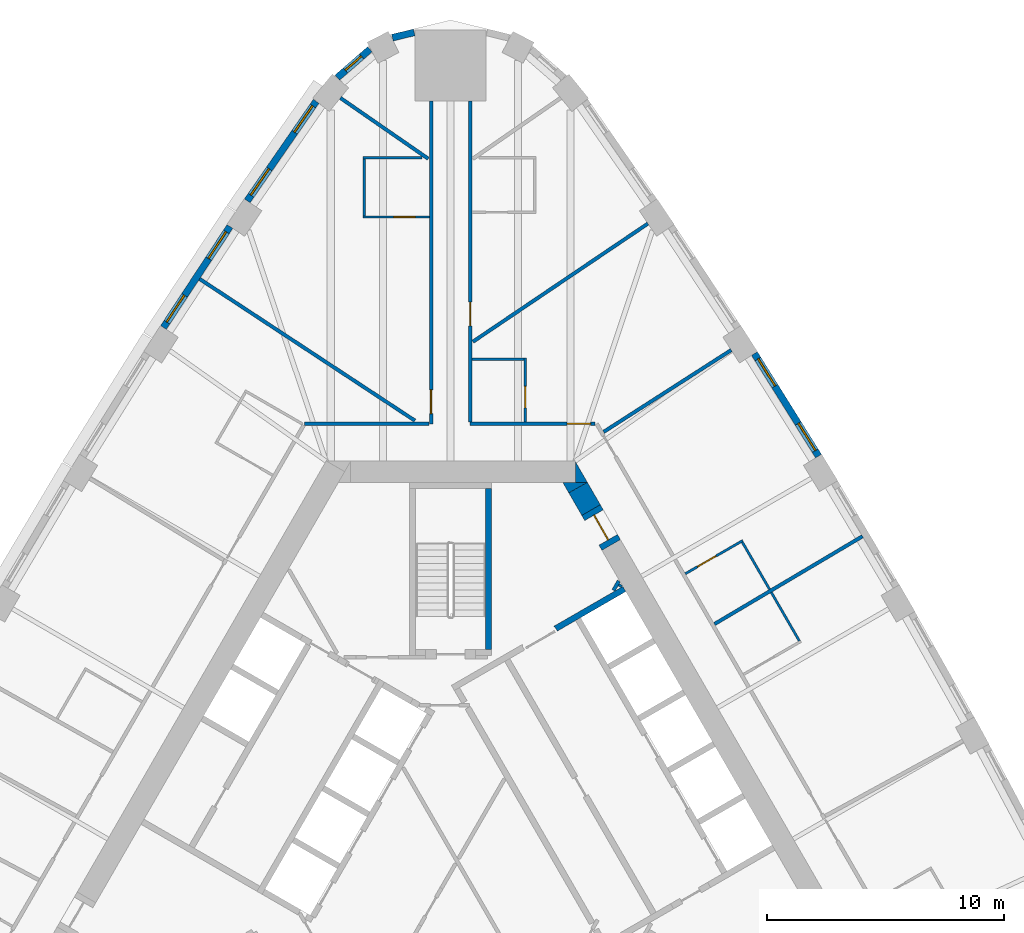
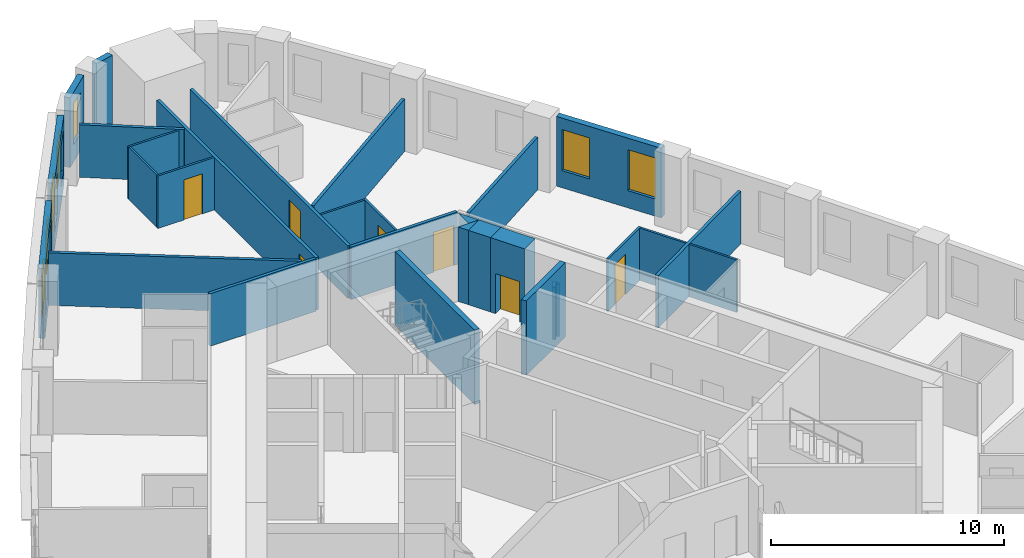
# One storey, part 10 of 12: 30 walls, 7 doors, 7 windows, 14 openings.
"""IFC4 building model written with IfcOpenShell, lengths in metres."""

from ifc_helpers import new_model, si_unit, direction, frame, frame_2d, origin, place, context, subcontext, project, spatial, polyline, rectangle, outline, extrude, material, layer, layer_set, type_object, element, fill, save


model = new_model("IFC4")

# Units and contexts
model_context = context("Model", 3, precision=1e-05, world=origin(), true_north=direction((0.0, 1.0)))
body_context = subcontext(model_context, "Body", "Model", "MODEL_VIEW")
ifc_project = project(units=[si_unit("LENGTHUNIT", "METRE"), si_unit("AREAUNIT", "SQUARE_METRE"), si_unit("VOLUMEUNIT", "CUBIC_METRE"), si_unit("PLANEANGLEUNIT", "RADIAN"), si_unit("MASSUNIT", "GRAM", prefix="KILO")], contexts=[model_context])

# Site, building, storey
site_placement = place(None, origin())
site = spatial("IfcSite", under=ifc_project, at=site_placement, CompositionType="ELEMENT")
building_placement = place(site_placement, origin())
building = spatial("IfcBuilding", under=site, at=building_placement, Name="Mestral Congress Tower", CompositionType="ELEMENT")
storey_placement = place(building_placement, frame((0.0, 0.0, 122.699951171875)))
storey = spatial("IfcBuildingStorey", under=building, at=storey_placement, Name="L29", CompositionType="ELEMENT", Elevation=122.699951171875)

# Walls
ifc_material_1 = material(Name="Fire-rated board partition")
ifc_layer_1 = layer(ifc_material_1, 0.14990234375)
ifc_layer_set_1 = layer_set([ifc_layer_1], Name="Fire-rated board partition")
wall_type_1 = type_object("IfcWallType", Name="Core partition 150", PredefinedType="PARTITIONING", material=ifc_layer_set_1)
wall_1_placement = place(storey_placement, frame((6.87158203125, 11.44970703125, 0.0), z_axis=(0.0, 0.0, 1.0), x_axis=(0.499846793097, 0.866113839764, 0.0)))
element("IfcWall", 1, at=wall_1_placement, inside=storey, type_object=wall_type_1, Name="L29 core wall", PredefinedType="PARTITIONING", context=body_context, shape_type="SweptSolid", body=[
    extrude(rectangle(XDim=0.453369140625, YDim=0.14990234375, at=frame_2d((0.2265625, 0.0))), origin(), (0.0, 0.0, 1.0), 2.75),
])
wall_2_placement = place(storey_placement, frame((7.13134765625, 11.599609375, 0.0), z_axis=(0.0, 0.0, 1.0), x_axis=(0.498600033135, 0.866832167699, 0.0)))
element("IfcWall", 2, at=wall_2_placement, inside=storey, type_object=wall_type_1, Name="L29 core wall", PredefinedType="PARTITIONING", context=body_context, shape_type="SweptSolid", body=[
    extrude(rectangle(XDim=0.106689453125, YDim=0.14990234375, at=frame_2d((0.05322265625, 0.0))), origin(), (0.0, 0.0, 1.0), 2.75),
])
ifc_material_2 = material(Name="Concrete C60/75", Category="concrete")
ifc_layer_2 = layer(ifc_material_2, 0.89990234375)
ifc_layer_set_2 = layer_set([ifc_layer_2], Name="Concrete C60/75")
wall_type_2 = type_object("IfcWallType", Name="Core wall RC 900", PredefinedType="SOLIDWALL", material=ifc_layer_set_2)
placement = place(storey_placement, origin())
element("IfcWall", 3, at=placement, inside=storey, type_object=wall_type_2, Name="L29 core wall", PredefinedType="SOLIDWALL", context=body_context, shape_type="SweptSolid", body=[
    extrude(outline(polyline([(5.265380859375, 16.0), (5.265380859375, 16.8798828125), (5.7734375, 16.0), (5.265380859375, 16.0)])), origin(), (0.0, 0.0, 1.0), 3.900146484375),
])
wall_4_placement = place(storey_placement, frame((5.92578125, 14.836181640625, 0.0), z_axis=(0.0, 0.0, 1.0), x_axis=(-0.500076735116, 0.865981096212, 0.0)))
element("IfcWall", 4, at=wall_4_placement, inside=storey, type_object=wall_type_2, Name="L29 core wall", PredefinedType="SOLIDWALL", context=body_context, shape_type="SweptSolid", body=[
    extrude(rectangle(XDim=1.093505859375, YDim=0.89990234375, at=frame_2d((0.546875, 0.0))), origin(), (0.0, 0.0, 1.0), 3.900146484375),
])
element("IfcWall", 5, at=placement, inside=storey, type_object=wall_type_2, Name="L29 core wall", PredefinedType="SOLIDWALL", context=body_context, shape_type="SweptSolid", body=[
    extrude(outline(polyline([(4.734375, 16.0), (5.750244140625, 16.0), (4.98828125, 15.56005859375), (4.734375, 16.0)])), origin(), (0.0, 0.0, 1.0), 3.900146484375),
])

# Wall, opening, door
wall_6_placement = place(storey_placement, frame((5.92578125, 14.836181640625, 0.0), z_axis=(0.0, 0.0, 1.0), x_axis=(0.500062241894, -0.865989465428, 0.0)))
wall_6 = element("IfcWall", 6, at=wall_6_placement, inside=storey, type_object=wall_type_2, Name="L29 door wall", PredefinedType="SOLIDWALL", context=body_context, shape_type="SweptSolid", body=[
    extrude(rectangle(XDim=1.699951171875, YDim=0.89990234375, at=frame_2d((0.85009765625, 0.0))), origin(), (0.0, 0.0, 1.0), 3.900146484375),
])
opening_1_placement = place(wall_6_placement, frame((0.25, 0.0, 0.0)))
opening_1 = element("IfcOpeningElement", 7, at=opening_1_placement, cuts=wall_6, Name="Opening XD2", PredefinedType="OPENING", context=body_context, shape_type="SweptSolid", body=[
    extrude(rectangle(XDim=1.199951171875, YDim=2.10009765625, at=frame_2d((0.60009765625, 1.050048828125))), frame((0.0, 0.4599609375, 0.0), z_axis=(0.0, -1.0, 0.0), x_axis=(1.0, 0.0, 0.0)), (0.0, 0.0, 1.0), 0.919921875),
])
ifc_material_3 = material(Name="Fire-rated steel door set", Category="steel")
door_type_1 = type_object("IfcDoorType", Name="Core door XD 1200x2100", OperationType="SINGLE_SWING_LEFT", PredefinedType="DOOR", material=ifc_material_3)
door_1_placement = place(opening_1_placement, origin())
door_1 = element("IfcDoor", 8, at=door_1_placement, inside=storey, type_object=door_type_1, Name="Door XD2", OperationType="SINGLE_SWING_LEFT", OverallHeight=2.10009765625, OverallWidth=1.199951171875, PredefinedType="DOOR", context=body_context, shape_type="SweptSolid", body=[
    extrude(rectangle(XDim=1.199951171875, YDim=2.10009765625, at=frame_2d((0.60009765625, 1.050048828125))), frame((0.0, 0.02490234375, 0.0), z_axis=(0.0, -1.0, 0.0), x_axis=(1.0, 0.0, 0.0)), (0.0, 0.0, 1.0), 0.050048828125),
])
fill(opening_1, door_1)

# Wall, openings, windows
ifc_material_4 = material(Name="Precast concrete C40/50 with limestone facing", Category="masonry")
ifc_layer_3 = layer(ifc_material_4, 0.2900390625)
ifc_layer_set_3 = layer_set([ifc_layer_3], Name="Precast concrete C40/50 with limestone facing")
wall_type_3 = type_object("IfcWallType", Name="Facade stone wall 290", PredefinedType="SOLIDWALL", material=ifc_layer_set_3)
wall_7_placement = place(storey_placement, frame((15.523681640625, 17.114013671875, 0.0), z_axis=(0.0, 0.0, 1.0), x_axis=(-0.530072082134, 0.847952585787, 0.0)))
wall_7 = element("IfcWall", 9, at=wall_7_placement, inside=storey, type_object=wall_type_3, Name="Facade wall F1-05", PredefinedType="SOLIDWALL", context=body_context, shape_type="SweptSolid", body=[
    extrude(rectangle(XDim=5.100341796875, YDim=0.2900390625, at=frame_2d((2.55029296875, 0.0))), origin(), (0.0, 0.0, 1.0), 3.650146484375),
])
opening_2_placement = place(wall_7_placement, frame((0.272705078125, 0.0, 0.89990234375)))
opening_2 = element("IfcOpeningElement", 10, at=opening_2_placement, cuts=wall_7, Name="Opening W2", PredefinedType="OPENING", context=body_context, shape_type="SweptSolid", body=[
    extrude(rectangle(XDim=1.35009765625, YDim=2.14990234375, at=frame_2d((0.675048828125, 1.074951171875))), frame((0.0, 0.155029296875, 0.0), z_axis=(0.0, -1.0, 0.0), x_axis=(1.0, 0.0, 0.0)), (0.0, 0.0, 1.0), 0.31005859375),
])
opening_3_placement = place(wall_7_placement, frame((3.477783203125, 0.0, 0.89990234375)))
opening_3 = element("IfcOpeningElement", 11, at=opening_3_placement, cuts=wall_7, Name="Opening W2", PredefinedType="OPENING", context=body_context, shape_type="SweptSolid", body=[
    extrude(rectangle(XDim=1.35009765625, YDim=2.14990234375, at=frame_2d((0.675048828125, 1.074951171875))), frame((0.0, 0.155029296875, 0.0), z_axis=(0.0, -1.0, 0.0), x_axis=(1.0, 0.0, 0.0)), (0.0, 0.0, 1.0), 0.31005859375),
])
ifc_material_5 = material(Name="Clear low-emissivity double glazing", Category="glass")
window_type_1 = type_object("IfcWindowType", Name="Facade punched window 1350 x 2150 sill 900", PartitioningType="DOUBLE_PANEL_VERTICAL", PredefinedType="WINDOW", material=ifc_material_5)
window_1_placement = place(opening_2_placement, origin())
window_1 = element("IfcWindow", 12, at=window_1_placement, inside=storey, type_object=window_type_1, Name="Window F1-05a", OverallHeight=2.14990234375, OverallWidth=1.35009765625, PartitioningType="DOUBLE_PANEL_VERTICAL", PredefinedType="WINDOW", context=body_context, shape_type="SweptSolid", body=[
    extrude(rectangle(XDim=1.35009765625, YDim=2.14990234375, at=frame_2d((0.675048828125, 1.074951171875))), frame((0.0, 0.01513671875, 0.0), z_axis=(0.0, -1.0, 0.0), x_axis=(1.0, 0.0, 0.0)), (0.0, 0.0, 1.0), 0.06005859375),
])
fill(opening_2, window_1)
window_2_placement = place(opening_3_placement, origin())
window_2 = element("IfcWindow", 13, at=window_2_placement, inside=storey, type_object=window_type_1, Name="Window F1-05b", OverallHeight=2.14990234375, OverallWidth=1.35009765625, PartitioningType="DOUBLE_PANEL_VERTICAL", PredefinedType="WINDOW", context=body_context, shape_type="SweptSolid", body=[
    extrude(rectangle(XDim=1.35009765625, YDim=2.14990234375, at=frame_2d((0.675048828125, 1.074951171875))), frame((0.0, 0.01513671875, 0.0), z_axis=(0.0, -1.0, 0.0), x_axis=(1.0, 0.0, 0.0)), (0.0, 0.0, 1.0), 0.06005859375),
])
fill(opening_3, window_2)

# Wall
wall_8_placement = place(storey_placement, frame((-1.53515625, 34.9892578125, 0.0), z_axis=(0.0, 0.0, 1.0), x_axis=(-0.971713991574, -0.236160789674, 0.0)))
element("IfcWall", 14, at=wall_8_placement, inside=storey, type_object=wall_type_3, Name="Facade wall K1-2", PredefinedType="SOLIDWALL", context=body_context, shape_type="SweptSolid", body=[
    extrude(rectangle(XDim=0.947021484375, YDim=0.2900390625, at=frame_2d((0.4736328125, 0.0))), origin(), (0.0, 0.0, 1.0), 3.650146484375),
])

# Wall, opening, window
wall_9_placement = place(storey_placement, frame((-3.404541015625, 34.275390625, 0.0), z_axis=(0.0, 0.0, 1.0), x_axis=(-0.754882764627, -0.655859749999, 0.0)))
wall_9 = element("IfcWall", 15, at=wall_9_placement, inside=storey, type_object=wall_type_3, Name="Facade wall K1-3", PredefinedType="SOLIDWALL", context=body_context, shape_type="SweptSolid", body=[
    extrude(rectangle(XDim=1.819580078125, YDim=0.2900390625, at=frame_2d((0.90966796875, 0.0))), origin(), (0.0, 0.0, 1.0), 3.650146484375),
])
opening_4_placement = place(wall_9_placement, frame((0.459716796875, 0.0, 0.89990234375)))
opening_4 = element("IfcOpeningElement", 16, at=opening_4_placement, cuts=wall_9, Name="Opening W3", PredefinedType="OPENING", context=body_context, shape_type="SweptSolid", body=[
    extrude(rectangle(XDim=0.89990234375, YDim=2.14990234375, at=frame_2d((0.449951171875, 1.074951171875))), frame((0.0, 0.155029296875, 0.0), z_axis=(0.0, -1.0, 0.0), x_axis=(1.0, 0.0, 0.0)), (0.0, 0.0, 1.0), 0.31005859375),
])
window_type_2 = type_object("IfcWindowType", Name="Facade punched window 900 x 2150 sill 900", PartitioningType="SINGLE_PANEL", PredefinedType="WINDOW", material=ifc_material_5)
window_3_placement = place(opening_4_placement, origin())
window_3 = element("IfcWindow", 17, at=window_3_placement, inside=storey, type_object=window_type_2, Name="Window K1-3", OverallHeight=2.14990234375, OverallWidth=0.89990234375, PartitioningType="SINGLE_PANEL", PredefinedType="WINDOW", context=body_context, shape_type="SweptSolid", body=[
    extrude(rectangle(XDim=0.89990234375, YDim=2.14990234375, at=frame_2d((0.449951171875, 1.074951171875))), frame((0.0, 0.01513671875, 0.0), z_axis=(0.0, -1.0, 0.0), x_axis=(1.0, 0.0, 0.0)), (0.0, 0.0, 1.0), 0.06005859375),
])
fill(opening_4, window_3)

# Wall, openings, windows
wall_10_placement = place(storey_placement, frame((-5.67333984375, 32.0810546875, 0.0), z_axis=(0.0, 0.0, 1.0), x_axis=(-0.569113019126, -0.822259309136, 0.0)))
wall_10 = element("IfcWall", 18, at=wall_10_placement, inside=storey, type_object=wall_type_3, Name="Facade wall F2-00", PredefinedType="SOLIDWALL", context=body_context, shape_type="SweptSolid", body=[
    extrude(rectangle(XDim=5.106689453125, YDim=0.2900390625, at=frame_2d((2.55322265625, 0.0))), origin(), (0.0, 0.0, 1.0), 3.650146484375),
])
opening_5_placement = place(wall_10_placement, frame((0.240478515625, 0.0, 0.89990234375)))
opening_5 = element("IfcOpeningElement", 19, at=opening_5_placement, cuts=wall_10, Name="Opening W2", PredefinedType="OPENING", context=body_context, shape_type="SweptSolid", body=[
    extrude(rectangle(XDim=1.35009765625, YDim=2.14990234375, at=frame_2d((0.675048828125, 1.074951171875))), frame((0.0, 0.155029296875, 0.0), z_axis=(0.0, -1.0, 0.0), x_axis=(1.0, 0.0, 0.0)), (0.0, 0.0, 1.0), 0.31005859375),
])
opening_6_placement = place(wall_10_placement, frame((3.47119140625, 0.0, 0.89990234375)))
opening_6 = element("IfcOpeningElement", 20, at=opening_6_placement, cuts=wall_10, Name="Opening W2", PredefinedType="OPENING", context=body_context, shape_type="SweptSolid", body=[
    extrude(rectangle(XDim=1.35009765625, YDim=2.14990234375, at=frame_2d((0.675048828125, 1.074951171875))), frame((0.0, 0.155029296875, 0.0), z_axis=(0.0, -1.0, 0.0), x_axis=(1.0, 0.0, 0.0)), (0.0, 0.0, 1.0), 0.31005859375),
])
window_4_placement = place(opening_5_placement, origin())
window_4 = element("IfcWindow", 21, at=window_4_placement, inside=storey, type_object=window_type_1, Name="Window F2-00a", OverallHeight=2.14990234375, OverallWidth=1.35009765625, PartitioningType="DOUBLE_PANEL_VERTICAL", PredefinedType="WINDOW", context=body_context, shape_type="SweptSolid", body=[
    extrude(rectangle(XDim=1.35009765625, YDim=2.14990234375, at=frame_2d((0.675048828125, 1.074951171875))), frame((0.0, 0.01513671875, 0.0), z_axis=(0.0, -1.0, 0.0), x_axis=(1.0, 0.0, 0.0)), (0.0, 0.0, 1.0), 0.06005859375),
])
fill(opening_5, window_4)
window_5_placement = place(opening_6_placement, origin())
window_5 = element("IfcWindow", 22, at=window_5_placement, inside=storey, type_object=window_type_1, Name="Window F2-00b", OverallHeight=2.14990234375, OverallWidth=1.35009765625, PartitioningType="DOUBLE_PANEL_VERTICAL", PredefinedType="WINDOW", context=body_context, shape_type="SweptSolid", body=[
    extrude(rectangle(XDim=1.35009765625, YDim=2.14990234375, at=frame_2d((0.675048828125, 1.074951171875))), frame((0.0, 0.01513671875, 0.0), z_axis=(0.0, -1.0, 0.0), x_axis=(1.0, 0.0, 0.0)), (0.0, 0.0, 1.0), 0.06005859375),
])
fill(opening_6, window_5)

wall_11_placement = place(storey_placement, frame((-9.310791015625, 26.799072265625, 0.0), z_axis=(0.0, 0.0, 1.0), x_axis=(-0.549741341923, -0.835334937005, 0.0)))
wall_11 = element("IfcWall", 23, at=wall_11_placement, inside=storey, type_object=wall_type_3, Name="Facade wall F2-01", PredefinedType="SOLIDWALL", context=body_context, shape_type="SweptSolid", body=[
    extrude(rectangle(XDim=5.10009765625, YDim=0.2900390625, at=frame_2d((2.550048828125, 0.0))), origin(), (0.0, 0.0, 1.0), 3.650146484375),
])
opening_7_placement = place(wall_11_placement, frame((0.272705078125, 0.0, 0.89990234375)))
opening_7 = element("IfcOpeningElement", 24, at=opening_7_placement, cuts=wall_11, Name="Opening W2", PredefinedType="OPENING", context=body_context, shape_type="SweptSolid", body=[
    extrude(rectangle(XDim=1.35009765625, YDim=2.14990234375, at=frame_2d((0.675048828125, 1.074951171875))), frame((0.0, 0.155029296875, 0.0), z_axis=(0.0, -1.0, 0.0), x_axis=(1.0, 0.0, 0.0)), (0.0, 0.0, 1.0), 0.31005859375),
])
opening_8_placement = place(wall_11_placement, frame((3.477783203125, 0.0, 0.89990234375)))
opening_8 = element("IfcOpeningElement", 25, at=opening_8_placement, cuts=wall_11, Name="Opening W2", PredefinedType="OPENING", context=body_context, shape_type="SweptSolid", body=[
    extrude(rectangle(XDim=1.35009765625, YDim=2.14990234375, at=frame_2d((0.675048828125, 1.074951171875))), frame((0.0, 0.155029296875, 0.0), z_axis=(0.0, -1.0, 0.0), x_axis=(1.0, 0.0, 0.0)), (0.0, 0.0, 1.0), 0.31005859375),
])
window_6_placement = place(opening_7_placement, origin())
window_6 = element("IfcWindow", 26, at=window_6_placement, inside=storey, type_object=window_type_1, Name="Window F2-01a", OverallHeight=2.14990234375, OverallWidth=1.35009765625, PartitioningType="DOUBLE_PANEL_VERTICAL", PredefinedType="WINDOW", context=body_context, shape_type="SweptSolid", body=[
    extrude(rectangle(XDim=1.35009765625, YDim=2.14990234375, at=frame_2d((0.675048828125, 1.074951171875))), frame((0.0, 0.01513671875, 0.0), z_axis=(0.0, -1.0, 0.0), x_axis=(1.0, 0.0, 0.0)), (0.0, 0.0, 1.0), 0.06005859375),
])
fill(opening_7, window_6)
window_7_placement = place(opening_8_placement, origin())
window_7 = element("IfcWindow", 27, at=window_7_placement, inside=storey, type_object=window_type_1, Name="Window F2-01b", OverallHeight=2.14990234375, OverallWidth=1.35009765625, PartitioningType="DOUBLE_PANEL_VERTICAL", PredefinedType="WINDOW", context=body_context, shape_type="SweptSolid", body=[
    extrude(rectangle(XDim=1.35009765625, YDim=2.14990234375, at=frame_2d((0.675048828125, 1.074951171875))), frame((0.0, 0.01513671875, 0.0), z_axis=(0.0, -1.0, 0.0), x_axis=(1.0, 0.0, 0.0)), (0.0, 0.0, 1.0), 0.06005859375),
])
fill(opening_8, window_7)

# Wall
ifc_material_6 = material(Name="Gypsum board partition on metal studs with mineral wool", Category="composite")
ifc_layer_4 = layer(ifc_material_6, 0.10009765625)
ifc_layer_set_4 = layer_set([ifc_layer_4], Name="Gypsum board partition on metal studs with mineral wool")
wall_type_4 = type_object("IfcWallType", Name="Hotel partition wall 100", PredefinedType="PARTITIONING", material=ifc_layer_set_4)
wall_12_placement = place(storey_placement, frame((14.7119140625, 9.318115234375, 0.0), z_axis=(0.0, 0.0, 1.0), x_axis=(-0.50000006957, 0.866025363618, 0.0)))
element("IfcWall", 28, at=wall_12_placement, inside=storey, type_object=wall_type_4, Name="L29-h-pod09b", PredefinedType="PARTITIONING", context=body_context, shape_type="SweptSolid", body=[
    extrude(rectangle(XDim=2.35986328125, YDim=0.10009765625, at=frame_2d((1.179931640625, 0.0))), origin(), (0.0, 0.0, 1.0), 2.75),
])

# Wall, opening, door
wall_13_placement = place(storey_placement, frame((12.3271484375, 13.548828125, 0.0), z_axis=(0.0, 0.0, 1.0), x_axis=(-0.866056369097, -0.49994636267, 0.0)))
wall_13 = element("IfcWall", 29, at=wall_13_placement, inside=storey, type_object=wall_type_4, Name="L29-h-pod10a", PredefinedType="PARTITIONING", context=body_context, shape_type="SweptSolid", body=[
    extrude(rectangle(XDim=2.800048828125, YDim=0.10009765625, at=frame_2d((1.39990234375, 0.0))), origin(), (0.0, 0.0, 1.0), 2.75),
])
opening_9_placement = place(wall_13_placement, frame((1.300048828125, 0.0, 0.0)))
opening_9 = element("IfcOpeningElement", 30, at=opening_9_placement, cuts=wall_13, Name="Opening H09-020", PredefinedType="OPENING", context=body_context, shape_type="SweptSolid", body=[
    extrude(rectangle(XDim=0.89990234375, YDim=2.10009765625, at=frame_2d((0.449951171875, 1.050048828125))), frame((0.0, 0.06005859375, 0.0), z_axis=(0.0, -1.0, 0.0), x_axis=(1.0, 0.0, 0.0)), (0.0, 0.0, 1.0), 0.1201171875),
])
ifc_material_7 = material(Name="Timber veneer door leaf in timber frame", Category="wood")
door_type_2 = type_object("IfcDoorType", Name="Bathroom door 900", OperationType="SINGLE_SWING_LEFT", PredefinedType="DOOR", material=ifc_material_7)
door_2_placement = place(opening_9_placement, origin())
door_2 = element("IfcDoor", 31, at=door_2_placement, inside=storey, type_object=door_type_2, Name="L29-h-d020", OperationType="SINGLE_SWING_LEFT", OverallHeight=2.10009765625, OverallWidth=0.89990234375, PredefinedType="DOOR", context=body_context, shape_type="SweptSolid", body=[
    extrude(rectangle(XDim=0.89990234375, YDim=2.10009765625, at=frame_2d((0.449951171875, 1.050048828125))), frame((0.0, 0.02490234375, 0.0), z_axis=(0.0, -1.0, 0.0), x_axis=(1.0, 0.0, 0.0)), (0.0, 0.0, 1.0), 0.050048828125),
])
fill(opening_9, door_2)

# Wall
wall_14_placement = place(storey_placement, frame((12.308837890625, 13.480712890625, 0.0), z_axis=(0.0, 0.0, 1.0), x_axis=(0.499968531483, -0.866043571379, 0.0)))
element("IfcWall", 32, at=wall_14_placement, inside=storey, type_object=wall_type_4, Name="L29-h-pod10b", PredefinedType="PARTITIONING", context=body_context, shape_type="SweptSolid", body=[
    extrude(rectangle(XDim=2.290283203125, YDim=0.10009765625, at=frame_2d((1.14501953125, 0.0))), origin(), (0.0, 0.0, 1.0), 2.75),
])

# Wall, opening, door
wall_15_placement = place(storey_placement, frame((3.15087890625, 18.550048828125, 0.0), z_axis=(0.0, 0.0, 1.0), x_axis=(0.0, 1.0, 0.0)))
wall_15 = element("IfcWall", 33, at=wall_15_placement, inside=storey, type_object=wall_type_4, Name="L29-h-pod11a", PredefinedType="PARTITIONING", context=body_context, shape_type="SweptSolid", body=[
    extrude(rectangle(XDim=2.699951171875, YDim=0.10009765625, at=frame_2d((1.35009765625, 0.0))), origin(), (0.0, 0.0, 1.0), 2.75),
])
opening_10_placement = place(wall_15_placement, frame((0.60009765625, 0.0, 0.0)))
opening_10 = element("IfcOpeningElement", 34, at=opening_10_placement, cuts=wall_15, Name="Opening H09-022", PredefinedType="OPENING", context=body_context, shape_type="SweptSolid", body=[
    extrude(rectangle(XDim=0.89990234375, YDim=2.10009765625, at=frame_2d((0.449951171875, 1.050048828125))), frame((0.0, 0.06005859375, 0.0), z_axis=(0.0, -1.0, 0.0), x_axis=(1.0, 0.0, 0.0)), (0.0, 0.0, 1.0), 0.1201171875),
])
door_3_placement = place(opening_10_placement, origin())
door_3 = element("IfcDoor", 35, at=door_3_placement, inside=storey, type_object=door_type_2, Name="L29-h-d022", OperationType="SINGLE_SWING_LEFT", OverallHeight=2.10009765625, OverallWidth=0.89990234375, PredefinedType="DOOR", context=body_context, shape_type="SweptSolid", body=[
    extrude(rectangle(XDim=0.89990234375, YDim=2.10009765625, at=frame_2d((0.449951171875, 1.050048828125))), frame((0.0, 0.02490234375, 0.0), z_axis=(0.0, -1.0, 0.0), x_axis=(1.0, 0.0, 0.0)), (0.0, 0.0, 1.0), 0.050048828125),
])
fill(opening_10, door_3)

# Wall
wall_16_placement = place(storey_placement, frame((3.10107421875, 21.199951171875, 0.0), z_axis=(0.0, 0.0, 1.0), x_axis=(-1.0, 0.0, 0.0)))
element("IfcWall", 36, at=wall_16_placement, inside=storey, type_object=wall_type_4, Name="L29-h-pod11b", PredefinedType="PARTITIONING", context=body_context, shape_type="SweptSolid", body=[
    extrude(rectangle(XDim=2.2001953125, YDim=0.10009765625, at=frame_2d((1.10009765625, 0.0))), origin(), (0.0, 0.0, 1.0), 2.75),
])

# Wall, opening, door
wall_17_placement = place(storey_placement, frame((-3.699951171875, 27.197998046875, 0.0), z_axis=(0.0, 0.0, 1.0), x_axis=(1.0, 0.0, 0.0)))
wall_17 = element("IfcWall", 37, at=wall_17_placement, inside=storey, type_object=wall_type_4, Name="L29-h-pod13a", PredefinedType="PARTITIONING", context=body_context, shape_type="SweptSolid", body=[
    extrude(rectangle(XDim=2.800048828125, YDim=0.10009765625, at=frame_2d((1.39990234375, 0.0))), origin(), (0.0, 0.0, 1.0), 2.75),
])
opening_11_placement = place(wall_17_placement, frame((1.300048828125, 0.0, 0.0)))
opening_11 = element("IfcOpeningElement", 38, at=opening_11_placement, cuts=wall_17, Name="Opening H09-026", PredefinedType="OPENING", context=body_context, shape_type="SweptSolid", body=[
    extrude(rectangle(XDim=0.89990234375, YDim=2.10009765625, at=frame_2d((0.449951171875, 1.050048828125))), frame((0.0, 0.06005859375, 0.0), z_axis=(0.0, -1.0, 0.0), x_axis=(1.0, 0.0, 0.0)), (0.0, 0.0, 1.0), 0.1201171875),
])
door_4_placement = place(opening_11_placement, origin())
door_4 = element("IfcDoor", 39, at=door_4_placement, inside=storey, type_object=door_type_2, Name="L29-h-d026", OperationType="SINGLE_SWING_LEFT", OverallHeight=2.10009765625, OverallWidth=0.89990234375, PredefinedType="DOOR", context=body_context, shape_type="SweptSolid", body=[
    extrude(rectangle(XDim=0.89990234375, YDim=2.10009765625, at=frame_2d((0.449951171875, 1.050048828125))), frame((0.0, 0.02490234375, 0.0), z_axis=(0.0, -1.0, 0.0), x_axis=(1.0, 0.0, 0.0)), (0.0, 0.0, 1.0), 0.050048828125),
])
fill(opening_11, door_4)

# Walls
wall_18_placement = place(storey_placement, frame((-3.64990234375, 27.248046875, 0.0), z_axis=(0.0, 0.0, 1.0), x_axis=(0.0, 1.0, 0.0)))
element("IfcWall", 40, at=wall_18_placement, inside=storey, type_object=wall_type_4, Name="L29-h-pod13b", PredefinedType="PARTITIONING", context=body_context, shape_type="SweptSolid", body=[
    extrude(rectangle(XDim=2.39990234375, YDim=0.10009765625, at=frame_2d((1.199951171875, 0.0))), origin(), (0.0, 0.0, 1.0), 2.75),
])
wall_19_placement = place(storey_placement, frame((-1.199951171875, 29.697998046875, 0.0), z_axis=(0.0, 0.0, 1.0), x_axis=(-1.0, 0.0, 0.0)))
element("IfcWall", 41, at=wall_19_placement, inside=storey, type_object=wall_type_4, Name="L29-h-pod13c", PredefinedType="PARTITIONING", context=body_context, shape_type="SweptSolid", body=[
    extrude(rectangle(XDim=2.5, YDim=0.10009765625, at=frame_2d((1.25, 0.0))), origin(), (0.0, 0.0, 1.0), 2.75),
])

# Wall, opening, door
ifc_layer_5 = layer(ifc_material_6, 0.14990234375)
ifc_layer_set_5 = layer_set([ifc_layer_5], Name="Gypsum board partition on metal studs with mineral wool")
wall_type_5 = type_object("IfcWallType", Name="Hotel partition wall 150", PredefinedType="PARTITIONING", material=ifc_layer_set_5)
wall_20_placement = place(storey_placement, frame((0.824951171875, 18.47509765625, 0.0), z_axis=(0.0, 0.0, 1.0), x_axis=(1.0, 0.0, 0.0)))
wall_20 = element("IfcWall", 42, at=wall_20_placement, inside=storey, type_object=wall_type_5, Name="L29-h-cw04", PredefinedType="PARTITIONING", context=body_context, shape_type="SweptSolid", body=[
    extrude(rectangle(XDim=5.268310546875, YDim=0.14990234375, at=frame_2d((2.63427734375, 0.0))), origin(), (0.0, 0.0, 1.0), 2.75),
])
opening_12_placement = place(wall_20_placement, frame((4.088134765625, 0.0, 0.0)))
opening_12 = element("IfcOpeningElement", 43, at=opening_12_placement, cuts=wall_20, Name="Opening H09-021", PredefinedType="OPENING", context=body_context, shape_type="SweptSolid", body=[
    extrude(rectangle(XDim=1.0, YDim=2.10009765625, at=frame_2d((0.5, 1.050048828125))), frame((0.0, 0.0849609375, 0.0), z_axis=(0.0, -1.0, 0.0), x_axis=(1.0, 0.0, 0.0)), (0.0, 0.0, 1.0), 0.169921875),
])
ifc_material_8 = material(Name="Timber veneer door leaf in metal frame", Category="wood")
door_type_3 = type_object("IfcDoorType", Name="Guest room entrance door 1000", OperationType="SINGLE_SWING_LEFT", PredefinedType="DOOR", material=ifc_material_8)
door_5_placement = place(opening_12_placement, origin())
door_5 = element("IfcDoor", 44, at=door_5_placement, inside=storey, type_object=door_type_3, Name="L29-h-d021", OperationType="SINGLE_SWING_RIGHT", OverallHeight=2.10009765625, OverallWidth=1.0, PredefinedType="DOOR", context=body_context, shape_type="SweptSolid", body=[
    extrude(rectangle(XDim=1.0, YDim=2.10009765625, at=frame_2d((0.5, 1.050048828125))), frame((0.0, 0.02490234375, 0.0), z_axis=(0.0, -1.0, 0.0), x_axis=(1.0, 0.0, 0.0)), (0.0, 0.0, 1.0), 0.050048828125),
])
fill(opening_12, door_5)

wall_21_placement = place(storey_placement, frame((0.824951171875, 32.098388671875, 0.0), z_axis=(0.0, 0.0, 1.0), x_axis=(0.0, -1.0, 0.0)))
wall_21 = element("IfcWall", 45, at=wall_21_placement, inside=storey, type_object=wall_type_5, Name="L29-h-cw05", PredefinedType="PARTITIONING", context=body_context, shape_type="SweptSolid", body=[
    extrude(rectangle(XDim=13.54345703125, YDim=0.14990234375, at=frame_2d((6.771728515625, 0.0))), origin(), (0.0, 0.0, 1.0), 2.75),
])
opening_13_placement = place(wall_21_placement, frame((8.490234375, 0.0, 0.0)))
opening_13 = element("IfcOpeningElement", 46, at=opening_13_placement, cuts=wall_21, Name="Opening H09-023", PredefinedType="OPENING", context=body_context, shape_type="SweptSolid", body=[
    extrude(rectangle(XDim=1.0, YDim=2.10009765625, at=frame_2d((0.5, 1.050048828125))), frame((0.0, 0.0849609375, 0.0), z_axis=(0.0, -1.0, 0.0), x_axis=(1.0, 0.0, 0.0)), (0.0, 0.0, 1.0), 0.169921875),
])
door_6_placement = place(opening_13_placement, origin())
door_6 = element("IfcDoor", 47, at=door_6_placement, inside=storey, type_object=door_type_3, Name="L29-h-d023", OperationType="SINGLE_SWING_RIGHT", OverallHeight=2.10009765625, OverallWidth=1.0, PredefinedType="DOOR", context=body_context, shape_type="SweptSolid", body=[
    extrude(rectangle(XDim=1.0, YDim=2.10009765625, at=frame_2d((0.5, 1.050048828125))), frame((0.0, 0.02490234375, 0.0), z_axis=(0.0, -1.0, 0.0), x_axis=(1.0, 0.0, 0.0)), (0.0, 0.0, 1.0), 0.050048828125),
])
fill(opening_13, door_6)

wall_22_placement = place(storey_placement, frame((-0.824951171875, 18.47509765625, 0.0), z_axis=(0.0, 0.0, 1.0), x_axis=(0.0, 1.0, 0.0)))
wall_22 = element("IfcWall", 48, at=wall_22_placement, inside=storey, type_object=wall_type_5, Name="L29-h-cw06", PredefinedType="PARTITIONING", context=body_context, shape_type="SweptSolid", body=[
    extrude(rectangle(XDim=13.623291015625, YDim=0.14990234375, at=frame_2d((6.8115234375, 0.0))), origin(), (0.0, 0.0, 1.0), 2.75),
])
opening_14_placement = place(wall_22_placement, frame((0.427001953125, 0.0, 0.0)))
opening_14 = element("IfcOpeningElement", 49, at=opening_14_placement, cuts=wall_22, Name="Opening H09-025", PredefinedType="OPENING", context=body_context, shape_type="SweptSolid", body=[
    extrude(rectangle(XDim=1.0, YDim=2.10009765625, at=frame_2d((0.5, 1.050048828125))), frame((0.0, 0.0849609375, 0.0), z_axis=(0.0, -1.0, 0.0), x_axis=(1.0, 0.0, 0.0)), (0.0, 0.0, 1.0), 0.169921875),
])
door_7_placement = place(opening_14_placement, origin())
door_7 = element("IfcDoor", 50, at=door_7_placement, inside=storey, type_object=door_type_3, Name="L29-h-d025", OperationType="SINGLE_SWING_LEFT", OverallHeight=2.10009765625, OverallWidth=1.0, PredefinedType="DOOR", context=body_context, shape_type="SweptSolid", body=[
    extrude(rectangle(XDim=1.0, YDim=2.10009765625, at=frame_2d((0.5, 1.050048828125))), frame((0.0, 0.02490234375, 0.0), z_axis=(0.0, -1.0, 0.0), x_axis=(1.0, 0.0, 0.0)), (0.0, 0.0, 1.0), 0.050048828125),
])
fill(opening_14, door_7)

# Walls
wall_23_placement = place(storey_placement, frame((-6.1630859375, 18.47509765625, 0.0), z_axis=(0.0, 0.0, 1.0), x_axis=(1.0, 0.0, 0.0)))
element("IfcWall", 51, at=wall_23_placement, inside=storey, type_object=wall_type_5, Name="L29-h-cw07", PredefinedType="PARTITIONING", context=body_context, shape_type="SweptSolid", body=[
    extrude(rectangle(XDim=5.258056640625, YDim=0.14990234375, at=frame_2d((2.62890625, 0.0))), origin(), (0.0, 0.0, 1.0), 2.75),
])
wall_24_placement = place(storey_placement, frame((-10.591552734375, 24.589111328125, 0.0), z_axis=(0.0, 0.0, 1.0), x_axis=(0.835337323748, -0.549737715236, 0.0)))
element("IfcWall", 52, at=wall_24_placement, inside=storey, type_object=wall_type_5, Name="L29-h-pw10", PredefinedType="PARTITIONING", context=body_context, shape_type="SweptSolid", body=[
    extrude(rectangle(XDim=10.875244140625, YDim=0.14990234375, at=frame_2d((5.4375, 0.0))), origin(), (0.0, 0.0, 1.0), 2.75),
])
wall_25_placement = place(storey_placement, frame((-4.649169921875, 32.223388671875, 0.0), z_axis=(0.0, 0.0, 1.0), x_axis=(0.822262349475, -0.569108626394, 0.0)))
element("IfcWall", 53, at=wall_25_placement, inside=storey, type_object=wall_type_5, Name="L29-h-pw11", PredefinedType="PARTITIONING", context=body_context, shape_type="SweptSolid", body=[
    extrude(rectangle(XDim=4.509521484375, YDim=0.14990234375, at=frame_2d((2.2548828125, 0.0))), origin(), (0.0, 0.0, 1.0), 2.75),
])
wall_26_placement = place(storey_placement, frame((8.32568359375, 26.922607421875, 0.0), z_axis=(0.0, 0.0, 1.0), x_axis=(-0.828836601893, -0.5594907393, 0.0)))
element("IfcWall", 54, at=wall_26_placement, inside=storey, type_object=wall_type_5, Name="L29-h-pw12", PredefinedType="PARTITIONING", context=body_context, shape_type="SweptSolid", body=[
    extrude(rectangle(XDim=8.9091796875, YDim=0.14990234375, at=frame_2d((4.45458984375, 0.0))), origin(), (0.0, 0.0, 1.0), 2.75),
])
wall_27_placement = place(storey_placement, frame((11.838134765625, 21.585205078125, 0.0), z_axis=(0.0, 0.0, 1.0), x_axis=(-0.841699322813, -0.539946525108, 0.0)))
element("IfcWall", 55, at=wall_27_placement, inside=storey, type_object=wall_type_5, Name="L29-h-pw15", PredefinedType="PARTITIONING", context=body_context, shape_type="SweptSolid", body=[
    extrude(rectangle(XDim=6.3916015625, YDim=0.14990234375, at=frame_2d((3.19580078125, 0.0))), origin(), (0.0, 0.0, 1.0), 2.75),
])
wall_28_placement = place(storey_placement, frame((17.379150390625, 13.730712890625, 0.0), z_axis=(0.0, 0.0, 1.0), x_axis=(-0.860132461691, -0.510070728768, 0.0)))
element("IfcWall", 56, at=wall_28_placement, inside=storey, type_object=wall_type_5, Name="L29-h-pw16", PredefinedType="PARTITIONING", context=body_context, shape_type="SweptSolid", body=[
    extrude(rectangle(XDim=7.256591796875, YDim=0.14990234375, at=frame_2d((3.62841796875, 0.0))), origin(), (0.0, 0.0, 1.0), 2.75),
])
ifc_layer_6 = layer(ifc_material_2, 0.25)
ifc_layer_set_6 = layer_set([ifc_layer_6], Name="Concrete C60/75")
wall_type_6 = type_object("IfcWallType", Name="Shaft wall RC 250", PredefinedType="SOLIDWALL", material=ifc_layer_set_6)
element("IfcWall", 57, at=placement, inside=storey, type_object=wall_type_6, Name="L29 core wall", PredefinedType="SOLIDWALL", context=body_context, shape_type="SweptSolid", body=[
    extrude(outline(polyline([(5.26953125, 10.172607421875), (5.26953125, 10.172607421875), (4.68310546875, 9.833984375), (4.50439453125, 9.73095703125), (4.44189453125, 9.839111328125), (4.431396484375, 9.855712890625), (4.419189453125, 9.87109375), (4.405517578125, 9.885009765625), (4.390380859375, 9.897705078125), (4.374267578125, 9.908935546875), (4.357177734375, 9.91845703125), (4.34130859375, 9.92529296875), (7.266357421875, 11.6142578125), (7.391357421875, 11.397705078125), (5.486083984375, 10.2978515625), (5.486083984375, 10.2978515625), (5.26953125, 10.1728515625), (5.26953125, 10.172607421875)])), origin(), (0.0, 0.0, 1.0), 3.900146484375),
])
ifc_layer_7 = layer(ifc_material_2, 0.25)
ifc_layer_set_7 = layer_set([ifc_layer_7], Name="Concrete C60/75")
wall_type_7 = type_object("IfcWallType", Name="Stair wall RC 250", PredefinedType="SOLIDWALL", material=ifc_layer_set_7)
wall_30_placement = place(storey_placement, frame((1.60009765625, 8.949951171875, 0.0), z_axis=(0.0, 0.0, 1.0), x_axis=(0.0, 1.0, 0.0)))
element("IfcWall", 58, at=wall_30_placement, inside=storey, type_object=wall_type_7, Name="L29 core wall", PredefinedType="SOLIDWALL", context=body_context, shape_type="SweptSolid", body=[
    extrude(rectangle(XDim=6.800048828125, YDim=0.25, at=frame_2d((3.39990234375, 0.0))), origin(), (0.0, 0.0, 1.0), 3.900146484375),
])

save(model, "model.ifc")
